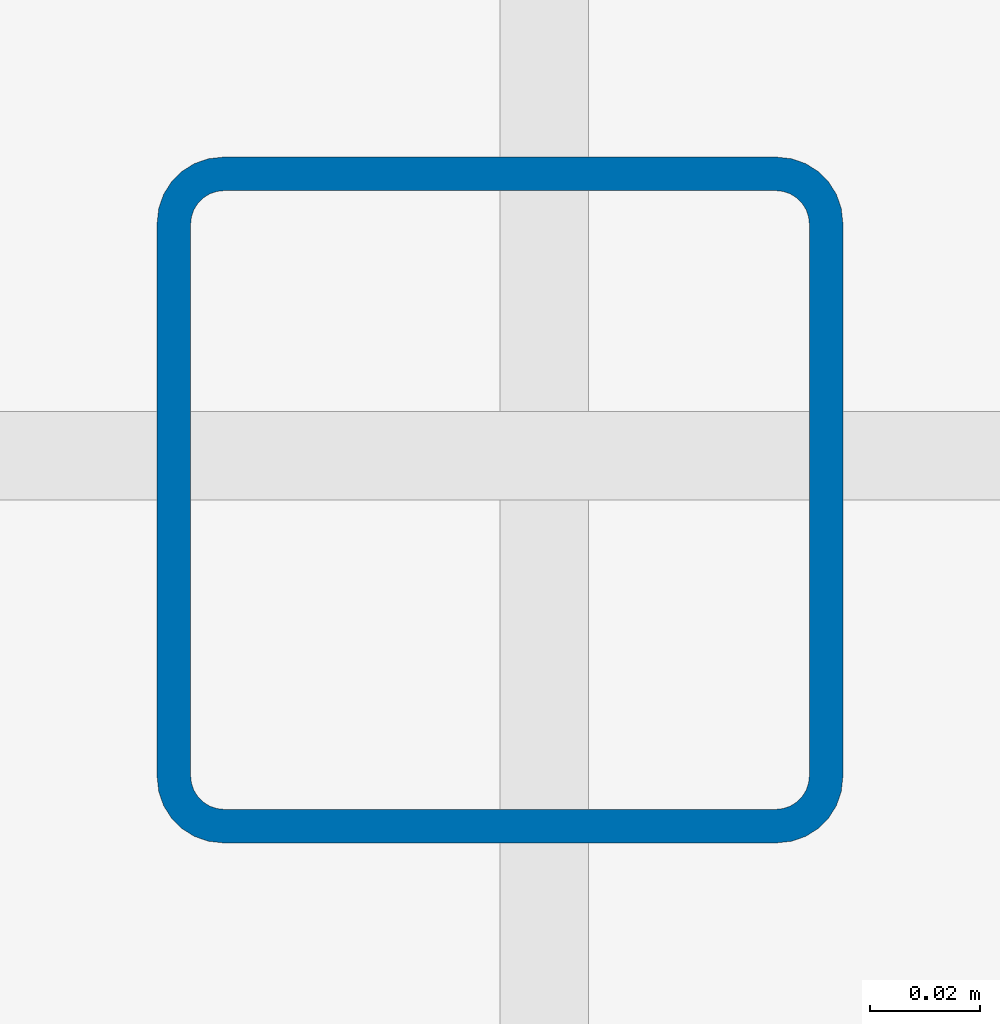
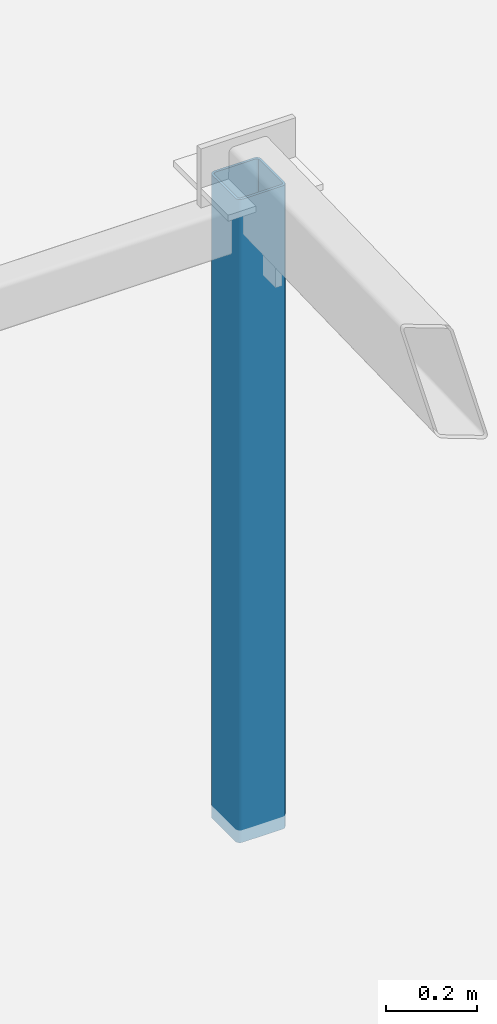
# One storey, part 4 of 43: 1 column.
"""IFC4 building model written with IfcOpenShell, lengths in metres."""

from ifc_helpers import new_model, si_unit, direction, frame, origin, origin_2d, place, context, subcontext, project, spatial, hollow_rectangle, extrude, material, material_profile, profile_set, type_object, element, save


model = new_model("IFC4")

# Units and contexts
model_context = context("Model", 3, precision=1e-05, world=origin(), true_north=direction((0.0, 1.0)))
body_context = subcontext(model_context, "Body", "Model", "MODEL_VIEW")
ifc_project = project(units=[si_unit("LENGTHUNIT", "METRE"), si_unit("AREAUNIT", "SQUARE_METRE"), si_unit("VOLUMEUNIT", "CUBIC_METRE"), si_unit("PLANEANGLEUNIT", "RADIAN"), si_unit("MASSUNIT", "GRAM", prefix="KILO")], contexts=[model_context])

# Site, building, storey
site_placement = place(None, origin())
site = spatial("IfcSite", under=ifc_project, at=site_placement, CompositionType="ELEMENT")
building_placement = place(site_placement, origin())
building = spatial("IfcBuilding", under=site, at=building_placement, Name="Ochrevale Crest", CompositionType="ELEMENT")
storey_placement = place(building_placement, frame((0.0, 0.0, 30.75)))
storey = spatial("IfcBuildingStorey", under=building, at=storey_placement, Name="L09", CompositionType="ELEMENT", Elevation=30.75)

# Column
ifc_material = material(Name="Steel S355", Category="steel")
ifc_material_profile = material_profile(ifc_material, hollow_rectangle(XDim=0.125, YDim=0.125, WallThickness=0.006103515625, InnerFilletRadius=0.006103515625, OuterFilletRadius=0.011962890625, at=origin_2d()), Name="125x125x6.0SHS")
ifc_profile_set = profile_set([ifc_material_profile], Name="Steel S355")
column_type = type_object("IfcColumnType", Name="COL-SHS125", PredefinedType="COLUMN", material=ifc_profile_set)
column_placement = place(storey_placement, frame((28.800048828125, 28.800048828125, 0.0), z_axis=(0.0, 0.0, 1.0), x_axis=(1.0, 0.0, 0.0)))
element("IfcColumn", 1, at=column_placement, inside=storey, type_object=column_type, Name="Block A solar-frame support post", PredefinedType="COLUMN", context=body_context, shape_type="SweptSolid", body=[
    extrude(hollow_rectangle(XDim=0.125, YDim=0.125, WallThickness=0.006103515625, InnerFilletRadius=0.006103515625, OuterFilletRadius=0.011962890625, at=origin_2d()), origin(), (0.0, 0.0, 1.0), 1.719970703125),
])

save(model, "model.ifc")
